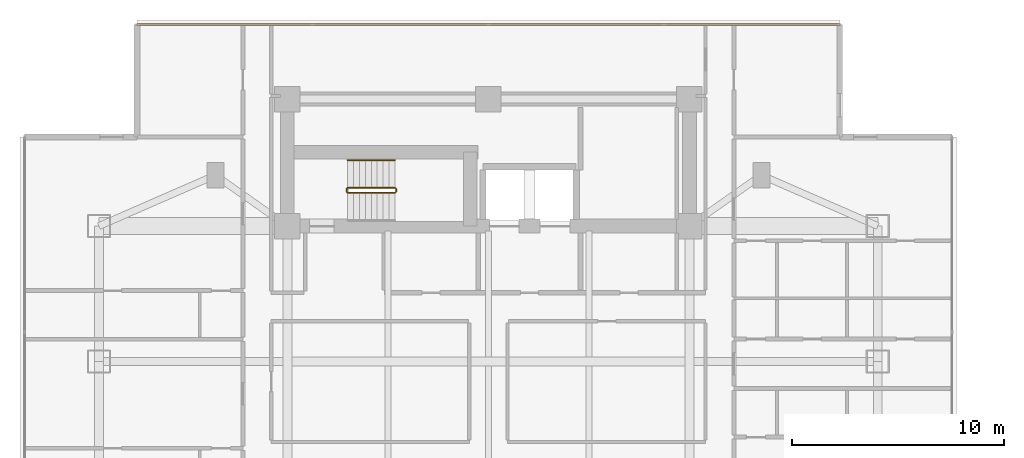
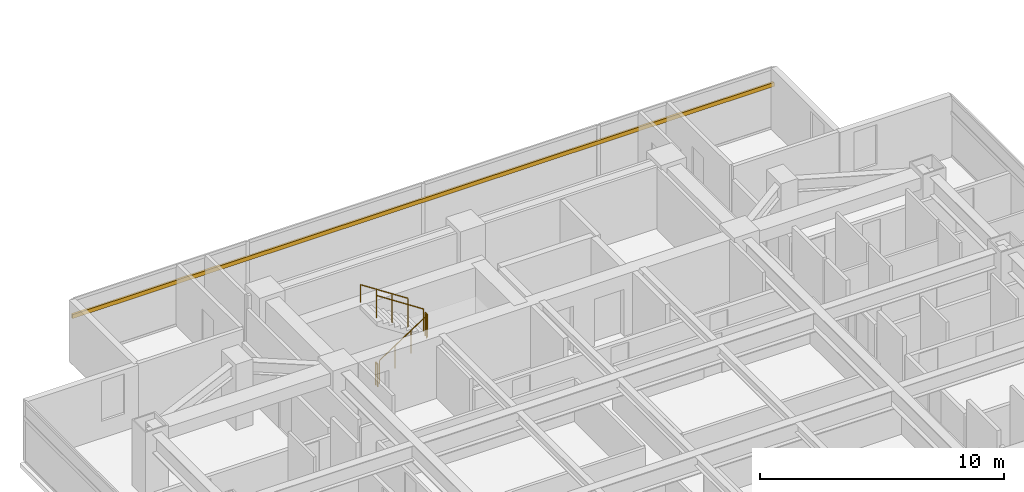
# One storey, part 23 of 26: 5 railings, 1 shading device.
"""IFC4 building model written with IfcOpenShell, lengths in metres."""

from ifc_helpers import new_model, si_unit, direction, frame, origin, origin_2d, place, context, subcontext, project, spatial, rectangle, circle, extrude, material, material_profile, profile_set, type_object, element, save


model = new_model("IFC4")

# Units and contexts
model_context = context("Model", 3, precision=1e-05, world=origin(), true_north=direction((0.0, 1.0)))
body_context = subcontext(model_context, "Body", "Model", "MODEL_VIEW")
ifc_project = project(units=[si_unit("LENGTHUNIT", "METRE"), si_unit("AREAUNIT", "SQUARE_METRE"), si_unit("VOLUMEUNIT", "CUBIC_METRE"), si_unit("PLANEANGLEUNIT", "RADIAN"), si_unit("MASSUNIT", "GRAM", prefix="KILO")], contexts=[model_context])

# Site, building, storey
site_placement = place(None, origin())
site = spatial("IfcSite", under=ifc_project, at=site_placement, CompositionType="ELEMENT")
building_placement = place(site_placement, origin())
building = spatial("IfcBuilding", under=site, at=building_placement, Name="Mirazonda Arch Towers", CompositionType="ELEMENT")
storey_placement = place(building_placement, frame((0.0, 0.0, 108.199951171875)))
storey = spatial("IfcBuildingStorey", under=building, at=storey_placement, Name="L30", CompositionType="ELEMENT", Elevation=108.199951171875)

# Shading device
ifc_material_1 = material(Name="Kiln-Fired Architectural Terracotta", Category="masonry")
ifc_material_profile = material_profile(ifc_material_1, rectangle(XDim=0.10009765625, YDim=0.199951171875, at=origin_2d()), Name="TERRA-BAG-100x200")
ifc_profile_set = profile_set([ifc_material_profile], Name="Kiln-Fired Architectural Terracotta")
shading_device_type = type_object("IfcShadingDeviceType", Name="BAGUETTE-2", PredefinedType="USERDEFINED", material=ifc_profile_set)
shading_device_placement = place(storey_placement, frame((3.89501953125, 47.117919921875, 2.203369140625), z_axis=(1.0, 0.0, 0.0), x_axis=(0.0, 1.0, 0.0)))
element("IfcShadingDevice", 1, at=shading_device_placement, inside=storey, type_object=shading_device_type, Name="L30 Glazed Terracotta Sun-Screen Baguette CW-L30-T1-N", ObjectType="BAGUETTE", PredefinedType="USERDEFINED", context=body_context, shape_type="SweptSolid", body=[
    extrude(rectangle(XDim=0.10009765625, YDim=0.199951171875, at=origin_2d()), origin(), (0.0, 0.0, 1.0), 33.2099609375),
])

# Railings
ifc_material_2 = material(Name="Architectural Brushed Steel S355", Category="steel")
railing_type_1 = type_object("IfcRailingType", Name="GUARD-STAIR-1120", PredefinedType="GUARDRAIL", material=ifc_material_2)
railing_1_placement = place(storey_placement, frame((13.85009765625, 39.169921875, 0.183349609375)))
element("IfcRailing", 2, at=railing_1_placement, inside=storey, type_object=railing_type_1, Name="L30 ST-T1N stair guard 1", PredefinedType="GUARDRAIL", context=body_context, shape_type="SweptSolid", body=[
    extrude(circle(Radius=0.02392578125, at=origin_2d()), frame((0.0, 0.0, 1.1259765625), z_axis=(0.836595146698, 0.0, 0.547821650285), x_axis=(0.0, 1.0, 0.0)), (0.0, 0.0, 1.0), 2.677490234375),
    extrude(circle(Radius=0.02099609375, at=origin_2d()), origin(), (0.0, 0.0, 1.0), 1.101806640625),
    extrude(circle(Radius=0.02099609375, at=origin_2d()), frame((0.74658203125, 0.0, 0.489013671875)), (0.0, 0.0, 1.0), 1.101806640625),
    extrude(circle(Radius=0.02099609375, at=origin_2d()), frame((1.493408203125, 0.0, 0.977783203125)), (0.0, 0.0, 1.0), 1.101806640625),
    extrude(circle(Radius=0.02099609375, at=origin_2d()), frame((2.239990234375, 0.0, 1.466796875)), (0.0, 0.0, 1.0), 1.101806640625),
])
railing_2_placement = place(storey_placement, frame((16.139892578125, 39.219970703125, 1.650146484375)))
element("IfcRailing", 3, at=railing_2_placement, inside=storey, type_object=railing_type_1, Name="L30 ST-T1N stair guard 2", PredefinedType="GUARDRAIL", context=body_context, shape_type="SweptSolid", body=[
    extrude(circle(Radius=0.02392578125, at=origin_2d()), frame((0.0, 0.0, 1.1259765625), z_axis=(0.0, 1.0, 0.0), x_axis=(-1.0, 0.0, 0.0)), (0.0, 0.0, 1.0), 0.14013671875),
    extrude(circle(Radius=0.02099609375, at=origin_2d()), origin(), (0.0, 0.0, 1.0), 1.101806640625),
    extrude(circle(Radius=0.02099609375, at=origin_2d()), frame((0.0, 0.14013671875, 0.0)), (0.0, 0.0, 1.0), 1.101806640625),
])
railing_3_placement = place(storey_placement, frame((16.090087890625, 39.409912109375, 1.83349609375)))
element("IfcRailing", 4, at=railing_3_placement, inside=storey, type_object=railing_type_1, Name="L30 ST-T1N stair guard 3", PredefinedType="GUARDRAIL", context=body_context, shape_type="SweptSolid", body=[
    extrude(circle(Radius=0.02392578125, at=origin_2d()), frame((0.0, 0.0, 1.1259765625), z_axis=(-0.836636935527, 0.0, 0.547757827979), x_axis=(0.0, -1.0, 0.0)), (0.0, 0.0, 1.0), 2.677490234375),
    extrude(circle(Radius=0.02099609375, at=origin_2d()), origin(), (0.0, 0.0, 1.0), 1.101806640625),
    extrude(circle(Radius=0.02099609375, at=origin_2d()), frame((-0.74658203125, 0.0, 0.48876953125)), (0.0, 0.0, 1.0), 1.101806640625),
    extrude(circle(Radius=0.02099609375, at=origin_2d()), frame((-1.493408203125, 0.0, 0.977783203125)), (0.0, 0.0, 1.0), 1.101806640625),
    extrude(circle(Radius=0.02099609375, at=origin_2d()), frame((-2.239990234375, 0.0, 1.466552734375)), (0.0, 0.0, 1.0), 1.101806640625),
])
railing_4_placement = place(storey_placement, frame((13.800048828125, 39.219970703125, 0.0)))
element("IfcRailing", 5, at=railing_4_placement, inside=storey, type_object=railing_type_1, Name="L30 ST-T1N stair guard 4", PredefinedType="GUARDRAIL", context=body_context, shape_type="SweptSolid", body=[
    extrude(circle(Radius=0.02392578125, at=origin_2d()), frame((0.0, 0.0, 1.1259765625), z_axis=(0.0, 1.0, 0.0), x_axis=(-1.0, 0.0, 0.0)), (0.0, 0.0, 1.0), 0.14013671875),
    extrude(circle(Radius=0.02099609375, at=origin_2d()), origin(), (0.0, 0.0, 1.0), 1.101806640625),
    extrude(circle(Radius=0.02099609375, at=origin_2d()), frame((0.0, 0.14013671875, 0.0)), (0.0, 0.0, 1.0), 1.101806640625),
])
railing_type_2 = type_object("IfcRailingType", Name="HANDRAIL-915", PredefinedType="HANDRAIL", material=ifc_material_2)
railing_5_placement = place(storey_placement, frame((16.090087890625, 40.7099609375, 1.83349609375)))
element("IfcRailing", 6, at=railing_5_placement, inside=storey, type_object=railing_type_2, Name="L30 ST-T1N stair handrail 2", PredefinedType="HANDRAIL", context=body_context, shape_type="SweptSolid", body=[
    extrude(circle(Radius=0.02392578125, at=origin_2d()), frame((0.0, 0.0, 0.8759765625), z_axis=(-0.836636935527, 0.0, 0.547757827979), x_axis=(0.0, -1.0, 0.0)), (0.0, 0.0, 1.0), 2.677490234375),
    extrude(circle(Radius=0.02099609375, at=origin_2d()), origin(), (0.0, 0.0, 1.0), 0.851806640625),
    extrude(circle(Radius=0.02099609375, at=origin_2d()), frame((-0.74658203125, 0.0, 0.48876953125)), (0.0, 0.0, 1.0), 0.851806640625),
    extrude(circle(Radius=0.02099609375, at=origin_2d()), frame((-1.493408203125, 0.0, 0.977783203125)), (0.0, 0.0, 1.0), 0.851806640625),
    extrude(circle(Radius=0.02099609375, at=origin_2d()), frame((-2.239990234375, 0.0, 1.466552734375)), (0.0, 0.0, 1.0), 0.851806640625),
])

save(model, "model.ifc")
